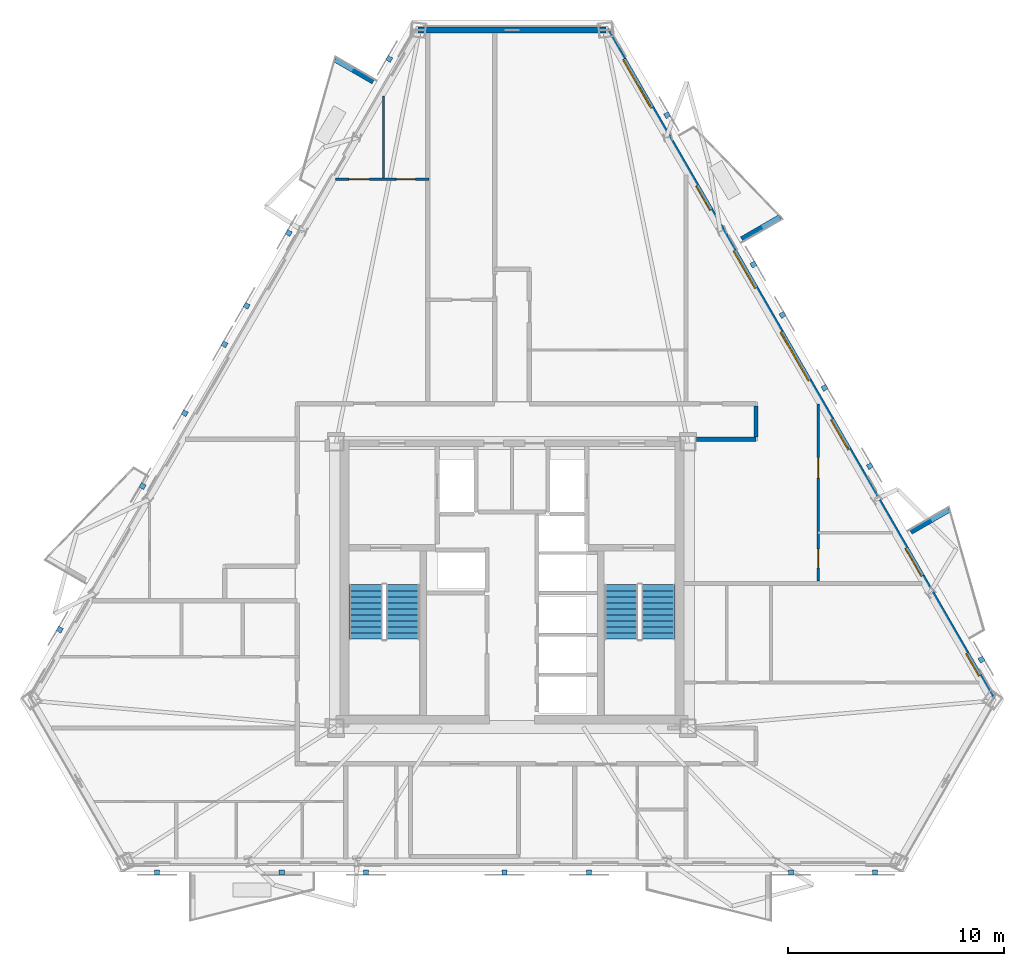
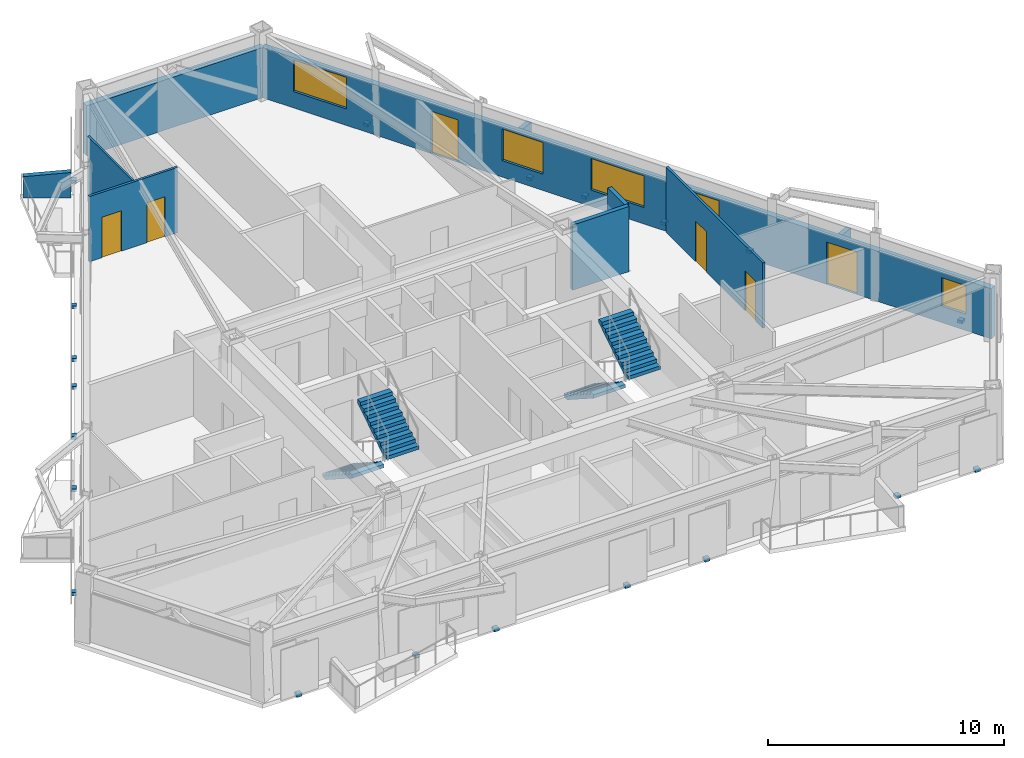
# One storey, part 6 of 9: 20 discrete accessories, 10 walls, 6 doors, 5 windows, 4 stair flights, 11 openings, 2 elements without a shape of their own.
"""IFC4 building model written with IfcOpenShell, lengths in metres."""

from ifc_helpers import new_model, si_unit, direction, frame, frame_2d, origin, origin_2d, place, context, subcontext, project, spatial, polyline, rectangle, outline, extrude, material, layer, layer_set, type_object, element, fill, aggregate, save


model = new_model("IFC4")

# Units and contexts
model_context = context("Model", 3, precision=1e-05, world=origin(), true_north=direction((0.0, 1.0)))
body_context = subcontext(model_context, "Body", "Model", "MODEL_VIEW")
ifc_project = project(units=[si_unit("LENGTHUNIT", "METRE"), si_unit("AREAUNIT", "SQUARE_METRE"), si_unit("VOLUMEUNIT", "CUBIC_METRE"), si_unit("PLANEANGLEUNIT", "RADIAN"), si_unit("MASSUNIT", "GRAM", prefix="KILO")], contexts=[model_context])

# Site, building, storey
site_placement = place(None, origin())
site = spatial("IfcSite", under=ifc_project, at=site_placement, CompositionType="ELEMENT")
building_placement = place(site_placement, origin())
building = spatial("IfcBuilding", under=site, at=building_placement, Name="Oramaril Tower", CompositionType="ELEMENT")
storey_placement = place(building_placement, frame((0.0, 0.0, 167.39990234375)))
storey = spatial("IfcBuildingStorey", under=building, at=storey_placement, Name="L44", CompositionType="ELEMENT", Elevation=167.39990234375)

# Wall, openings, doors, windows
ifc_material_1 = material(Name="Warm Cream Limestone", Category="masonry")
ifc_layer_1 = layer(ifc_material_1, 0.2900390625)
ifc_layer_set_1 = layer_set([ifc_layer_1], Name="WT-EXT29")
wall_type_1 = type_object("IfcWallType", Name="WT-EXT29", PredefinedType="SOLIDWALL", material=ifc_layer_set_1)
wall_1_placement = place(storey_placement, frame((59.755615234375, 12.27880859375, 0.0), z_axis=(0.0, 0.0, 1.0), x_axis=(-0.499997523705, 0.86602683347, 0.0)))
wall_1 = element("IfcWall", 1, at=wall_1_placement, inside=storey, type_object=wall_type_1, Name="L44 Tower Limestone Facade Wall 4M", PredefinedType="SOLIDWALL", context=body_context, shape_type="SweptSolid", body=[
    extrude(rectangle(XDim=35.802490234375, YDim=0.2900390625, at=frame_2d((17.9013671875, 0.0))), origin(), (0.0, 0.0, 1.0), 2.60009765625),
])
opening_1_placement = place(wall_1_placement, frame((6.579345703125, 0.0, 0.0)))
opening_1 = element("IfcOpeningElement", 2, at=opening_1_placement, cuts=wall_1, Name="Opening D-L44-BAL-NE1", PredefinedType="OPENING", context=body_context, shape_type="SweptSolid", body=[
    extrude(rectangle(XDim=1.5, YDim=2.199951171875, at=frame_2d((0.75, 1.10009765625))), frame((0.0, 0.14501953125, 0.0), z_axis=(0.0, -1.0, 0.0), x_axis=(1.0, 0.0, 0.0)), (0.0, 0.0, 1.0), 0.2900390625),
])
opening_2_placement = place(wall_1_placement, frame((26.158203125, 0.0, 0.0)))
opening_2 = element("IfcOpeningElement", 3, at=opening_2_placement, cuts=wall_1, Name="Opening D-L44-BAL-NE2", PredefinedType="OPENING", context=body_context, shape_type="SweptSolid", body=[
    extrude(rectangle(XDim=1.300048828125, YDim=2.199951171875, at=frame_2d((0.64990234375, 1.10009765625))), frame((0.0, 0.14501953125, 0.0), z_axis=(0.0, -1.0, 0.0), x_axis=(1.0, 0.0, 0.0)), (0.0, 0.0, 1.0), 0.2900390625),
])
opening_3_placement = place(wall_1_placement, frame((1.25, 0.0, 0.85009765625)))
opening_3 = element("IfcOpeningElement", 4, at=opening_3_placement, cuts=wall_1, Name="Opening WN-09", PredefinedType="OPENING", context=body_context, shape_type="SweptSolid", body=[
    extrude(rectangle(XDim=1.199951171875, YDim=1.47998046875, at=frame_2d((0.60009765625, 0.739990234375))), frame((0.0, 0.14501953125, 0.0), z_axis=(0.0, -1.0, 0.0), x_axis=(1.0, 0.0, 0.0)), (0.0, 0.0, 1.0), 0.2900390625),
])
opening_4_placement = place(wall_1_placement, frame((17.033203125, 0.0, 0.85009765625)))
opening_4 = element("IfcOpeningElement", 5, at=opening_4_placement, cuts=wall_1, Name="Opening WN-02", PredefinedType="OPENING", context=body_context, shape_type="SweptSolid", body=[
    extrude(rectangle(XDim=2.60009765625, YDim=1.639892578125, at=frame_2d((1.300048828125, 0.81982421875))), frame((0.0, 0.14501953125, 0.0), z_axis=(0.0, -1.0, 0.0), x_axis=(1.0, 0.0, 0.0)), (0.0, 0.0, 1.0), 0.2900390625),
])
opening_5_placement = place(wall_1_placement, frame((21.98193359375, 0.0, 0.85009765625)))
opening_5 = element("IfcOpeningElement", 6, at=opening_5_placement, cuts=wall_1, Name="Opening WN-05", PredefinedType="OPENING", context=body_context, shape_type="SweptSolid", body=[
    extrude(rectangle(XDim=2.0, YDim=1.639892578125, at=frame_2d((1.0, 0.81982421875))), frame((0.0, 0.14501953125, 0.0), z_axis=(0.0, -1.0, 0.0), x_axis=(1.0, 0.0, 0.0)), (0.0, 0.0, 1.0), 0.2900390625),
])
opening_6_placement = place(wall_1_placement, frame((13.347412109375, 0.0, 0.85009765625)))
opening_6 = element("IfcOpeningElement", 7, at=opening_6_placement, cuts=wall_1, Name="Opening WN-07", PredefinedType="OPENING", context=body_context, shape_type="SweptSolid", body=[
    extrude(rectangle(XDim=1.60009765625, YDim=1.639892578125, at=frame_2d((0.800048828125, 0.81982421875))), frame((0.0, 0.14501953125, 0.0), z_axis=(0.0, -1.0, 0.0), x_axis=(1.0, 0.0, 0.0)), (0.0, 0.0, 1.0), 0.2900390625),
])
opening_7_placement = place(wall_1_placement, frame((31.618896484375, 0.0, 0.85009765625)))
opening_7 = element("IfcOpeningElement", 8, at=opening_7_placement, cuts=wall_1, Name="Opening WN-02", PredefinedType="OPENING", context=body_context, shape_type="SweptSolid", body=[
    extrude(rectangle(XDim=2.60009765625, YDim=1.639892578125, at=frame_2d((1.300048828125, 0.81982421875))), frame((0.0, 0.14501953125, 0.0), z_axis=(0.0, -1.0, 0.0), x_axis=(1.0, 0.0, 0.0)), (0.0, 0.0, 1.0), 0.2900390625),
])
ifc_material_2 = material(Name="Anodised Aluminium 6063-T6", Category="aluminium")
door_type_1 = type_object("IfcDoorType", Name="DT-BAL", OperationType="NOTDEFINED", PredefinedType="DOOR", material=ifc_material_2)
door_1_placement = place(opening_1_placement, origin())
door_1 = element("IfcDoor", 9, at=door_1_placement, inside=storey, type_object=door_type_1, Name="L44 Balcony Glazed Door L44-BAL-NE1", OperationType="SINGLE_SWING_LEFT", OverallHeight=2.199951171875, OverallWidth=1.5, PredefinedType="DOOR", context=body_context, shape_type="SweptSolid", body=[
    extrude(rectangle(XDim=1.5, YDim=2.199951171875, at=frame_2d((0.75, 1.10009765625))), frame((0.0, 0.02490234375, 0.0), z_axis=(0.0, -1.0, 0.0), x_axis=(1.0, 0.0, 0.0)), (0.0, 0.0, 1.0), 0.050048828125),
])
fill(opening_1, door_1)
ifc_material_3 = material(Name="Anodised Aluminium 6063-T6", Category="aluminium")
door_type_2 = type_object("IfcDoorType", Name="DT-E2", OperationType="NOTDEFINED", PredefinedType="DOOR", material=ifc_material_3)
door_2_placement = place(opening_2_placement, origin())
door_2 = element("IfcDoor", 10, at=door_2_placement, inside=storey, type_object=door_type_2, Name="L44 Balcony Glazed Door L44-BAL-NE2", OperationType="SINGLE_SWING_RIGHT", OverallHeight=2.199951171875, OverallWidth=1.300048828125, PredefinedType="DOOR", context=body_context, shape_type="SweptSolid", body=[
    extrude(rectangle(XDim=1.300048828125, YDim=2.199951171875, at=frame_2d((0.64990234375, 1.10009765625))), frame((0.0, 0.02490234375, 0.0), z_axis=(0.0, -1.0, 0.0), x_axis=(1.0, 0.0, 0.0)), (0.0, 0.0, 1.0), 0.050048828125),
])
fill(opening_2, door_2)
ifc_material_4 = material(Name="Coastal Low-E Insulated Glass", Category="glass")
window_type_1 = type_object("IfcWindowType", Name="WNT-02", PartitioningType="SINGLE_PANEL", PredefinedType="WINDOW", material=ifc_material_4)
window_1_placement = place(opening_4_placement, origin())
window_1 = element("IfcWindow", 11, at=window_1_placement, inside=storey, type_object=window_type_1, Name="L44 Chicago Bay Window WN-02", OverallHeight=1.639892578125, OverallWidth=2.60009765625, PartitioningType="SINGLE_PANEL", PredefinedType="WINDOW", context=body_context, shape_type="SweptSolid", body=[
    extrude(rectangle(XDim=2.60009765625, YDim=1.639892578125, at=frame_2d((1.300048828125, 0.81982421875))), frame((0.0, 0.030029296875, 0.0), z_axis=(0.0, -1.0, 0.0), x_axis=(1.0, 0.0, 0.0)), (0.0, 0.0, 1.0), 0.06005859375),
])
fill(opening_4, window_1)
window_2_placement = place(opening_7_placement, origin())
window_2 = element("IfcWindow", 12, at=window_2_placement, inside=storey, type_object=window_type_1, Name="L44 Chicago Bay Window WN-02", OverallHeight=1.639892578125, OverallWidth=2.60009765625, PartitioningType="SINGLE_PANEL", PredefinedType="WINDOW", context=body_context, shape_type="SweptSolid", body=[
    extrude(rectangle(XDim=2.60009765625, YDim=1.639892578125, at=frame_2d((1.300048828125, 0.81982421875))), frame((0.0, 0.030029296875, 0.0), z_axis=(0.0, -1.0, 0.0), x_axis=(1.0, 0.0, 0.0)), (0.0, 0.0, 1.0), 0.06005859375),
])
fill(opening_7, window_2)
ifc_material_5 = material(Name="Coastal Low-E Insulated Glass", Category="glass")
window_type_2 = type_object("IfcWindowType", Name="WNT-05", PartitioningType="SINGLE_PANEL", PredefinedType="WINDOW", material=ifc_material_5)
window_3_placement = place(opening_5_placement, origin())
window_3 = element("IfcWindow", 13, at=window_3_placement, inside=storey, type_object=window_type_2, Name="L44 Chicago Bay Window WN-05", OverallHeight=1.639892578125, OverallWidth=2.0, PartitioningType="SINGLE_PANEL", PredefinedType="WINDOW", context=body_context, shape_type="SweptSolid", body=[
    extrude(rectangle(XDim=2.0, YDim=1.639892578125, at=frame_2d((1.0, 0.81982421875))), frame((0.0, 0.030029296875, 0.0), z_axis=(0.0, -1.0, 0.0), x_axis=(1.0, 0.0, 0.0)), (0.0, 0.0, 1.0), 0.06005859375),
])
fill(opening_5, window_3)
ifc_material_6 = material(Name="Coastal Low-E Insulated Glass", Category="glass")
window_type_3 = type_object("IfcWindowType", Name="WNT-07", PartitioningType="SINGLE_PANEL", PredefinedType="WINDOW", material=ifc_material_6)
window_4_placement = place(opening_6_placement, origin())
window_4 = element("IfcWindow", 14, at=window_4_placement, inside=storey, type_object=window_type_3, Name="L44 Chicago Bay Window WN-07", OverallHeight=1.639892578125, OverallWidth=1.60009765625, PartitioningType="SINGLE_PANEL", PredefinedType="WINDOW", context=body_context, shape_type="SweptSolid", body=[
    extrude(rectangle(XDim=1.60009765625, YDim=1.639892578125, at=frame_2d((0.800048828125, 0.81982421875))), frame((0.0, 0.030029296875, 0.0), z_axis=(0.0, -1.0, 0.0), x_axis=(1.0, 0.0, 0.0)), (0.0, 0.0, 1.0), 0.06005859375),
])
fill(opening_6, window_4)
ifc_material_7 = material(Name="Coastal Low-E Insulated Glass", Category="glass")
window_type_4 = type_object("IfcWindowType", Name="WNT-09", PartitioningType="SINGLE_PANEL", PredefinedType="WINDOW", material=ifc_material_7)
window_5_placement = place(opening_3_placement, origin())
window_5 = element("IfcWindow", 15, at=window_5_placement, inside=storey, type_object=window_type_4, Name="L44 Chicago Bay Window WN-09", OverallHeight=1.47998046875, OverallWidth=1.199951171875, PartitioningType="SINGLE_PANEL", PredefinedType="WINDOW", context=body_context, shape_type="SweptSolid", body=[
    extrude(rectangle(XDim=1.199951171875, YDim=1.47998046875, at=frame_2d((0.60009765625, 0.739990234375))), frame((0.0, 0.030029296875, 0.0), z_axis=(0.0, -1.0, 0.0), x_axis=(1.0, 0.0, 0.0)), (0.0, 0.0, 1.0), 0.06005859375),
])
fill(opening_3, window_5)

# Walls
wall_2_placement = place(storey_placement, frame((41.8544921875, 43.28466796875, 0.0), z_axis=(0.0, 0.0, 1.0), x_axis=(-1.0, 0.0, 0.0)))
element("IfcWall", 16, at=wall_2_placement, inside=storey, type_object=wall_type_1, Name="L44 Tower Limestone Facade Wall 5M", PredefinedType="SOLIDWALL", context=body_context, shape_type="SweptSolid", body=[
    extrude(rectangle(XDim=8.708984375, YDim=0.2900390625, at=frame_2d((4.3544921875, 0.0))), origin(), (0.0, 0.0, 1.0), 2.60009765625),
])
ifc_material_8 = material(Name="Concrete C40/50", Category="concrete")
ifc_layer_2 = layer(ifc_material_8, 0.22998046875)
ifc_layer_set_2 = layer_set([ifc_layer_2], Name="WT-PRP23")
wall_type_2 = type_object("IfcWallType", Name="WT-PRP23", PredefinedType="PARAPET", material=ifc_layer_set_2)
for number, where, z_axis, x_axis, name in (
    (17, (55.971435546875, 20.029296875, 0.0), (0.0, 0.0, 1.0), (0.866012356593, 0.500022597718, 0.0), "L44 Trapezoidal Balcony Frame Cheek L44-BAL-NE1-R"),
    (18, (48.136962890625, 33.598876953125, 0.0), (0.0, 0.0, 1.0), (0.866042246008, 0.499970827278, 0.0), "L44 Trapezoidal Balcony Frame Cheek L44-BAL-NE2-L"),
    (19, (31.070556640625, 40.886474609375, 0.0), (0.0, 0.0, 1.0), (-0.866042246008, 0.499970827278, 0.0), "L44 Trapezoidal Balcony Frame Cheek L44-BAL-NW1-L"),
):
    element("IfcWall", number, at=place(storey_placement, frame(where, z_axis=z_axis, x_axis=x_axis)), inside=storey, type_object=wall_type_2, Name=name, PredefinedType="PARAPET", context=body_context, shape_type="SweptSolid", body=[
        extrude(outline(polyline([(0.0, 0.0), (2.0419921875, 0.0), (2.0419921875, 1.10009765625), (0.0, 1.320068359375), (0.0, 0.0)])), frame((0.0, 0.114990234375, 0.0), z_axis=(0.0, -1.0, 0.0), x_axis=(1.0, 0.0, 0.0)), (0.0, 0.0, 1.0), 0.22998046875),
    ])
ifc_material_9 = material(Name="Acoustic Gypsum Board Partition")
ifc_layer_3 = layer(ifc_material_9, 0.10009765625)
ifc_layer_set_3 = layer_set([ifc_layer_3], Name="WT-PT10")
wall_type_3 = type_object("IfcWallType", Name="WT-PT10", PredefinedType="PARTITIONING", material=ifc_layer_set_3)
wall_3_placement = place(storey_placement, frame((31.550048828125, 36.424072265625, 0.0), z_axis=(0.0, 0.0, 1.0), x_axis=(0.0, 1.0, 0.0)))
element("IfcWall", 20, at=wall_3_placement, inside=storey, type_object=wall_type_3, Name="L44 Interior Partition PT-10", PredefinedType="PARTITIONING", context=body_context, shape_type="SweptSolid", body=[
    extrude(rectangle(XDim=3.798828125, YDim=0.10009765625, at=frame_2d((1.8994140625, 0.0))), origin(), (0.0, 0.0, 1.0), 3.380126953125),
])

# Wall, openings, doors
ifc_material_10 = material(Name="Acoustic Gypsum Board Partition")
ifc_layer_4 = layer(ifc_material_10, 0.1201171875)
ifc_layer_set_4 = layer_set([ifc_layer_4], Name="WT-PT12")
wall_type_4 = type_object("IfcWallType", Name="WT-PT12", PredefinedType="PARTITIONING", material=ifc_layer_set_4)
wall_4_placement = place(storey_placement, frame((29.319580078125, 36.360107421875, 0.0), z_axis=(0.0, 0.0, 1.0), x_axis=(1.0, 0.0, 0.0)))
wall_4 = element("IfcWall", 21, at=wall_4_placement, inside=storey, type_object=wall_type_4, Name="L44 Interior Partition PT-12", PredefinedType="PARTITIONING", context=body_context, shape_type="SweptSolid", body=[
    extrude(rectangle(XDim=4.330322265625, YDim=0.1201171875, at=frame_2d((2.1650390625, 0.0))), origin(), (0.0, 0.0, 1.0), 3.380126953125),
])
opening_8_placement = place(wall_4_placement, frame((0.625, 0.0, 0.0)))
opening_8 = element("IfcOpeningElement", 22, at=opening_8_placement, cuts=wall_4, Name="Opening D-L44-20", PredefinedType="OPENING", context=body_context, shape_type="SweptSolid", body=[
    extrude(rectangle(XDim=0.949951171875, YDim=2.10009765625, at=frame_2d((0.47509765625, 1.050048828125))), frame((0.0, 0.06005859375, 0.0), z_axis=(0.0, -1.0, 0.0), x_axis=(1.0, 0.0, 0.0)), (0.0, 0.0, 1.0), 0.1201171875),
])
opening_9_placement = place(wall_4_placement, frame((2.8291015625, 0.0, 0.0)))
opening_9 = element("IfcOpeningElement", 23, at=opening_9_placement, cuts=wall_4, Name="Opening D-L44-21", PredefinedType="OPENING", context=body_context, shape_type="SweptSolid", body=[
    extrude(rectangle(XDim=0.8798828125, YDim=2.080078125, at=frame_2d((0.43994140625, 1.0400390625))), frame((0.0, 0.06005859375, 0.0), z_axis=(0.0, -1.0, 0.0), x_axis=(1.0, 0.0, 0.0)), (0.0, 0.0, 1.0), 0.1201171875),
])
ifc_material_11 = material(Name="FSC Brazilian Freijo Hardwood", Category="wood")
door_type_3 = type_object("IfcDoorType", Name="DT-BATH", OperationType="NOTDEFINED", PredefinedType="DOOR", material=ifc_material_11)
door_3_placement = place(opening_9_placement, origin())
door_3 = element("IfcDoor", 24, at=door_3_placement, inside=storey, type_object=door_type_3, Name="L44 Flat L44-U8 Bathroom Door D-L44-21", OperationType="SINGLE_SWING_LEFT", OverallHeight=2.080078125, OverallWidth=0.8798828125, PredefinedType="DOOR", context=body_context, shape_type="SweptSolid", body=[
    extrude(rectangle(XDim=0.8798828125, YDim=2.080078125, at=frame_2d((0.43994140625, 1.0400390625))), frame((0.0, 0.02490234375, 0.0), z_axis=(0.0, -1.0, 0.0), x_axis=(1.0, 0.0, 0.0)), (0.0, 0.0, 1.0), 0.050048828125),
])
fill(opening_9, door_3)
ifc_material_12 = material(Name="FSC Brazilian Freijo Hardwood", Category="wood")
door_type_4 = type_object("IfcDoorType", Name="DT-STDY", OperationType="NOTDEFINED", PredefinedType="DOOR", material=ifc_material_12)
door_4_placement = place(opening_8_placement, origin())
door_4 = element("IfcDoor", 25, at=door_4_placement, inside=storey, type_object=door_type_4, Name="L44 Flat L44-U8 Kitchen Door D-L44-20", OperationType="SINGLE_SWING_RIGHT", OverallHeight=2.10009765625, OverallWidth=0.949951171875, PredefinedType="DOOR", context=body_context, shape_type="SweptSolid", body=[
    extrude(rectangle(XDim=0.949951171875, YDim=2.10009765625, at=frame_2d((0.47509765625, 1.050048828125))), frame((0.0, 0.02490234375, 0.0), z_axis=(0.0, -1.0, 0.0), x_axis=(1.0, 0.0, 0.0)), (0.0, 0.0, 1.0), 0.050048828125),
])
fill(opening_8, door_4)

wall_5_placement = place(storey_placement, frame((51.679931640625, 17.75390625, 0.0), z_axis=(0.0, 0.0, 1.0), x_axis=(0.0, 1.0, 0.0)))
wall_5 = element("IfcWall", 26, at=wall_5_placement, inside=storey, type_object=wall_type_4, Name="L44 Interior Partition PT-12", PredefinedType="PARTITIONING", context=body_context, shape_type="SweptSolid", body=[
    extrude(rectangle(XDim=8.21435546875, YDim=0.1201171875, at=frame_2d((4.107177734375, 0.0))), origin(), (0.0, 0.0, 1.0), 3.380126953125),
])
opening_10_placement = place(wall_5_placement, frame((0.616455078125, 0.0, 0.0)))
opening_10 = element("IfcOpeningElement", 27, at=opening_10_placement, cuts=wall_5, Name="Opening D-L44-30", PredefinedType="OPENING", context=body_context, shape_type="SweptSolid", body=[
    extrude(rectangle(XDim=0.8798828125, YDim=2.080078125, at=frame_2d((0.43994140625, 1.0400390625))), frame((0.0, 0.06005859375, 0.0), z_axis=(0.0, -1.0, 0.0), x_axis=(1.0, 0.0, 0.0)), (0.0, 0.0, 1.0), 0.1201171875),
])
opening_11_placement = place(wall_5_placement, frame((4.773193359375, 0.0, 0.0)))
opening_11 = element("IfcOpeningElement", 28, at=opening_11_placement, cuts=wall_5, Name="Opening D-L44-31", PredefinedType="OPENING", context=body_context, shape_type="SweptSolid", body=[
    extrude(rectangle(XDim=0.949951171875, YDim=2.10009765625, at=frame_2d((0.47509765625, 1.050048828125))), frame((0.0, 0.06005859375, 0.0), z_axis=(0.0, -1.0, 0.0), x_axis=(1.0, 0.0, 0.0)), (0.0, 0.0, 1.0), 0.1201171875),
])
door_5_placement = place(opening_10_placement, origin())
door_5 = element("IfcDoor", 29, at=door_5_placement, inside=storey, type_object=door_type_3, Name="L44 Flat L44-U7 Bathroom Door D-L44-30", OperationType="SINGLE_SWING_RIGHT", OverallHeight=2.080078125, OverallWidth=0.8798828125, PredefinedType="DOOR", context=body_context, shape_type="SweptSolid", body=[
    extrude(rectangle(XDim=0.8798828125, YDim=2.080078125, at=frame_2d((0.43994140625, 1.0400390625))), frame((0.0, 0.02490234375, 0.0), z_axis=(0.0, -1.0, 0.0), x_axis=(1.0, 0.0, 0.0)), (0.0, 0.0, 1.0), 0.050048828125),
])
fill(opening_10, door_5)
door_6_placement = place(opening_11_placement, origin())
door_6 = element("IfcDoor", 30, at=door_6_placement, inside=storey, type_object=door_type_4, Name="L44 Flat L44-U7 Kitchen Door D-L44-31", OperationType="SINGLE_SWING_LEFT", OverallHeight=2.10009765625, OverallWidth=0.949951171875, PredefinedType="DOOR", context=body_context, shape_type="SweptSolid", body=[
    extrude(rectangle(XDim=0.949951171875, YDim=2.10009765625, at=frame_2d((0.47509765625, 1.050048828125))), frame((0.0, 0.02490234375, 0.0), z_axis=(0.0, -1.0, 0.0), x_axis=(1.0, 0.0, 0.0)), (0.0, 0.0, 1.0), 0.050048828125),
])
fill(opening_11, door_6)

# Walls
ifc_material_13 = material(Name="Autoclaved Cellular Concrete Block", Category="concrete")
ifc_layer_5 = layer(ifc_material_13, 0.199951171875)
ifc_layer_set_5 = layer_set([ifc_layer_5], Name="WT-PT20")
wall_type_5 = type_object("IfcWallType", Name="WT-PT20", PredefinedType="PARTITIONING", material=ifc_layer_set_5)
wall_6_placement = place(storey_placement, frame((46.0400390625, 24.320068359375, 0.0), z_axis=(0.0, 0.0, 1.0), x_axis=(1.0, 0.0, 0.0)))
element("IfcWall", 31, at=wall_6_placement, inside=storey, type_object=wall_type_5, Name="L44 Interior Partition PT-20", PredefinedType="PARTITIONING", context=body_context, shape_type="SweptSolid", body=[
    extrude(rectangle(XDim=2.760009765625, YDim=0.199951171875, at=frame_2d((1.3798828125, 0.0))), origin(), (0.0, 0.0, 1.0), 3.380126953125),
])
wall_7_placement = place(storey_placement, frame((48.800048828125, 24.424072265625, 0.0), z_axis=(0.0, 0.0, 1.0), x_axis=(0.0, 1.0, 0.0)))
element("IfcWall", 32, at=wall_7_placement, inside=storey, type_object=wall_type_5, Name="L44 Interior Partition PT-20", PredefinedType="PARTITIONING", context=body_context, shape_type="SweptSolid", body=[
    extrude(rectangle(XDim=1.44189453125, YDim=0.199951171875, at=frame_2d((0.720947265625, 0.0))), origin(), (0.0, 0.0, 1.0), 3.380126953125),
])

# Stair, stair flights
ifc_material_14 = material(Name="Concrete C50/60", Category="concrete")
stair_type = type_object("IfcStairType", Name="STT-DG-3600", PredefinedType="HALF_TURN_STAIR", material=ifc_material_14)
stair_1_placement = place(storey_placement, origin())
stair_1 = element("IfcStair", 33, at=stair_1_placement, inside=storey, type_object=stair_type, Name="L44 Protected PFP Exit Stair ST-1", PredefinedType="HALF_TURN_STAIR")
ifc_material_15 = material(Name="Concrete C50/60", Category="concrete")
stair_flight_type = type_object("IfcStairFlightType", Name="SFT-DG-3600", PredefinedType="STRAIGHT", material=ifc_material_15)
stair_flight_1_placement = place(storey_placement, frame((30.72998046875, 17.590087890625, 0.0), z_axis=(0.0, 0.0, 1.0), x_axis=(0.0, -1.0, 0.0)))
stair_flight_1 = element("IfcStairFlight", 34, at=stair_flight_1_placement, type_object=stair_flight_type, Name="ST-1 flight 1", NumberOfRisers=10, NumberOfTreads=9, PredefinedType="STRAIGHT", RiserHeight=0.18, TreadLength=0.28, context=body_context, shape_type="SweptSolid", body=[
    extrude(outline(polyline([(0.0, 0.0), (0.0, 0.179931640625), (0.280029296875, 0.179931640625), (0.280029296875, 0.360107421875), (0.56005859375, 0.360107421875), (0.56005859375, 0.5400390625), (0.840087890625, 0.5400390625), (0.840087890625, 0.719970703125), (1.1201171875, 0.719970703125), (1.1201171875, 0.89990234375), (1.39990234375, 0.89990234375), (1.39990234375, 1.080078125), (1.679931640625, 1.080078125), (1.679931640625, 1.260009765625), (1.9599609375, 1.260009765625), (1.9599609375, 1.43994140625), (2.239990234375, 1.43994140625), (2.239990234375, 1.6201171875), (2.52001953125, 1.6201171875), (2.52001953125, 1.800048828125), (2.52001953125, 1.44189453125), (0.277099609375, 0.0), (0.0, 0.0)])), frame((0.0, 0.780029296875, 0.0), z_axis=(0.0, -1.0, 0.0), x_axis=(1.0, 0.0, 0.0)), (0.0, 0.0, 1.0), 1.56005859375),
])
stair_flight_2_placement = place(storey_placement, frame((32.43994140625, 15.070068359375, 1.800048828125), z_axis=(0.0, 0.0, 1.0), x_axis=(0.0, 1.0, 0.0)))
stair_flight_2 = element("IfcStairFlight", 35, at=stair_flight_2_placement, type_object=stair_flight_type, Name="ST-1 flight 2", NumberOfRisers=10, NumberOfTreads=9, PredefinedType="STRAIGHT", RiserHeight=0.18, TreadLength=0.28, context=body_context, shape_type="SweptSolid", body=[
    extrude(outline(polyline([(0.0, 0.0), (0.0, 0.179931640625), (0.280029296875, 0.179931640625), (0.280029296875, 0.360107421875), (0.56005859375, 0.360107421875), (0.56005859375, 0.5400390625), (0.840087890625, 0.5400390625), (0.840087890625, 0.719970703125), (1.1201171875, 0.719970703125), (1.1201171875, 0.89990234375), (1.39990234375, 0.89990234375), (1.39990234375, 1.080078125), (1.679931640625, 1.080078125), (1.679931640625, 1.260009765625), (1.9599609375, 1.260009765625), (1.9599609375, 1.43994140625), (2.239990234375, 1.43994140625), (2.239990234375, 1.6201171875), (2.52001953125, 1.6201171875), (2.52001953125, 1.800048828125), (2.52001953125, 1.44189453125), (0.277099609375, 0.0), (0.0, 0.0)])), frame((0.0, 0.780029296875, 0.0), z_axis=(0.0, -1.0, 0.0), x_axis=(1.0, 0.0, 0.0)), (0.0, 0.0, 1.0), 1.56005859375),
])
aggregate(stair_1, [stair_flight_1, stair_flight_2])

stair_2_placement = place(storey_placement, origin())
stair_2 = element("IfcStair", 36, at=stair_2_placement, inside=storey, type_object=stair_type, Name="L44 Protected PFP Exit Stair ST-2", PredefinedType="HALF_TURN_STAIR")
stair_flight_3_placement = place(storey_placement, frame((42.56005859375, 17.590087890625, 0.0), z_axis=(0.0, 0.0, 1.0), x_axis=(0.0, -1.0, 0.0)))
stair_flight_3 = element("IfcStairFlight", 37, at=stair_flight_3_placement, type_object=stair_flight_type, Name="ST-2 flight 1", NumberOfRisers=10, NumberOfTreads=9, PredefinedType="STRAIGHT", RiserHeight=0.18, TreadLength=0.28, context=body_context, shape_type="SweptSolid", body=[
    extrude(outline(polyline([(0.0, 0.0), (0.0, 0.179931640625), (0.280029296875, 0.179931640625), (0.280029296875, 0.360107421875), (0.56005859375, 0.360107421875), (0.56005859375, 0.5400390625), (0.840087890625, 0.5400390625), (0.840087890625, 0.719970703125), (1.1201171875, 0.719970703125), (1.1201171875, 0.89990234375), (1.39990234375, 0.89990234375), (1.39990234375, 1.080078125), (1.679931640625, 1.080078125), (1.679931640625, 1.260009765625), (1.9599609375, 1.260009765625), (1.9599609375, 1.43994140625), (2.239990234375, 1.43994140625), (2.239990234375, 1.6201171875), (2.52001953125, 1.6201171875), (2.52001953125, 1.800048828125), (2.52001953125, 1.44189453125), (0.277099609375, 0.0), (0.0, 0.0)])), frame((0.0, 0.780029296875, 0.0), z_axis=(0.0, -1.0, 0.0), x_axis=(1.0, 0.0, 0.0)), (0.0, 0.0, 1.0), 1.56005859375),
])
stair_flight_4_placement = place(storey_placement, frame((44.27001953125, 15.070068359375, 1.800048828125), z_axis=(0.0, 0.0, 1.0), x_axis=(0.0, 1.0, 0.0)))
stair_flight_4 = element("IfcStairFlight", 38, at=stair_flight_4_placement, type_object=stair_flight_type, Name="ST-2 flight 2", NumberOfRisers=10, NumberOfTreads=9, PredefinedType="STRAIGHT", RiserHeight=0.18, TreadLength=0.28, context=body_context, shape_type="SweptSolid", body=[
    extrude(outline(polyline([(0.0, 0.0), (0.0, 0.179931640625), (0.280029296875, 0.179931640625), (0.280029296875, 0.360107421875), (0.56005859375, 0.360107421875), (0.56005859375, 0.5400390625), (0.840087890625, 0.5400390625), (0.840087890625, 0.719970703125), (1.1201171875, 0.719970703125), (1.1201171875, 0.89990234375), (1.39990234375, 0.89990234375), (1.39990234375, 1.080078125), (1.679931640625, 1.080078125), (1.679931640625, 1.260009765625), (1.9599609375, 1.260009765625), (1.9599609375, 1.43994140625), (2.239990234375, 1.43994140625), (2.239990234375, 1.6201171875), (2.52001953125, 1.6201171875), (2.52001953125, 1.800048828125), (2.52001953125, 1.44189453125), (0.277099609375, 0.0), (0.0, 0.0)])), frame((0.0, 0.780029296875, 0.0), z_axis=(0.0, -1.0, 0.0), x_axis=(1.0, 0.0, 0.0)), (0.0, 0.0, 1.0), 1.56005859375),
])
aggregate(stair_2, [stair_flight_3, stair_flight_4])

# Discrete accessories
for number, where, z_axis, x_axis, name in (
    (39, (21.058837890625, 4.256591796875, -0.1396484375), (0.0, 0.0, 1.0), (1.0, 0.0, 0.0), "L44 Solar Screen Slab Bracket"),
    (40, (26.836181640625, 4.256591796875, -0.1396484375), (0.0, 0.0, 1.0), (1.0, 0.0, 0.0), "L44 Solar Screen Slab Bracket"),
    (41, (30.736328125, 4.256591796875, -0.1396484375), (0.0, 0.0, 1.0), (1.0, 0.0, 0.0), "L44 Solar Screen Slab Bracket"),
    (42, (37.1591796875, 4.256591796875, -0.1396484375), (0.0, 0.0, 1.0), (1.0, 0.0, 0.0), "L44 Solar Screen Slab Bracket"),
    (43, (41.05908203125, 4.256591796875, -0.1396484375), (0.0, 0.0, 1.0), (1.0, 0.0, 0.0), "L44 Solar Screen Slab Bracket"),
    (44, (50.415283203125, 4.256591796875, -0.1396484375), (0.0, 0.0, 1.0), (1.0, 0.0, 0.0), "L44 Solar Screen Slab Bracket"),
    (45, (54.3154296875, 4.256591796875, -0.1396484375), (0.0, 0.0, 1.0), (1.0, 0.0, 0.0), "L44 Solar Screen Slab Bracket"),
    (46, (59.246337890625, 14.120849609375, -0.1396484375), (0.0, 0.0, 1.0), (-0.5, 0.866025403784, 0.0), "L44 Solar Screen Slab Bracket"),
    (47, (51.97998046875, 26.706787109375, -0.1396484375), (0.0, 0.0, 1.0), (-0.5, 0.866025403784, 0.0), "L44 Solar Screen Slab Bracket"),
    (48, (50.02978515625, 30.084228515625, -0.1396484375), (0.0, 0.0, 1.0), (-0.5, 0.866025403784, 0.0), "L44 Solar Screen Slab Bracket"),
    (49, (48.680419921875, 32.421630859375, -0.1396484375), (0.0, 0.0, 1.0), (-0.5, 0.866025403784, 0.0), "L44 Solar Screen Slab Bracket"),
    (50, (54.07275390625, 23.081787109375, -0.1396484375), (0.0, 0.0, 1.0), (-0.5, 0.866025403784, 0.0), "L44 Solar Screen Slab Bracket"),
    (51, (44.68701171875, 39.33837890625, -0.1396484375), (0.0, 0.0, 1.0), (-0.5, 0.866025403784, 0.0), "L44 Solar Screen Slab Bracket"),
    (52, (16.555908203125, 15.510498046875, -0.1396484375), (0.0, 0.0, 1.0), (-0.5, -0.866025403784, 0.0), "L44 Solar Screen Slab Bracket"),
    (53, (22.34326171875, 25.534423828125, -0.1396484375), (0.0, 0.0, 1.0), (-0.5, -0.866025403784, 0.0), "L44 Solar Screen Slab Bracket"),
    (54, (20.393310546875, 22.156982421875, -0.1396484375), (0.0, 0.0, 1.0), (-0.5, -0.866025403784, 0.0), "L44 Solar Screen Slab Bracket"),
    (55, (27.162841796875, 33.882080078125, -0.1396484375), (0.0, 0.0, 1.0), (-0.5, -0.866025403784, 0.0), "L44 Solar Screen Slab Bracket"),
    (56, (25.212890625, 30.504638671875, -0.1396484375), (0.0, 0.0, 1.0), (-0.5, -0.866025403784, 0.0), "L44 Solar Screen Slab Bracket"),
    (57, (24.185302734375, 28.72509765625, -0.1396484375), (0.0, 0.0, 1.0), (-0.5, -0.866025403784, 0.0), "L44 Solar Screen Slab Bracket"),
    (58, (31.81494140625, 41.93994140625, -0.1396484375), (0.0, 0.0, 1.0), (-0.5, -0.866025403784, 0.0), "L44 Solar Screen Slab Bracket"),
):
    element("IfcDiscreteAccessory", number, at=place(storey_placement, frame(where, z_axis=z_axis, x_axis=x_axis)), inside=storey, Name=name, PredefinedType="BRACKET", context=body_context, shape_type="SweptSolid", body=[
        extrude(rectangle(XDim=0.239990234375, YDim=0.239990234375, at=origin_2d()), origin(), (0.0, 0.0, 1.0), 0.159912109375),
    ])

save(model, "model.ifc")
